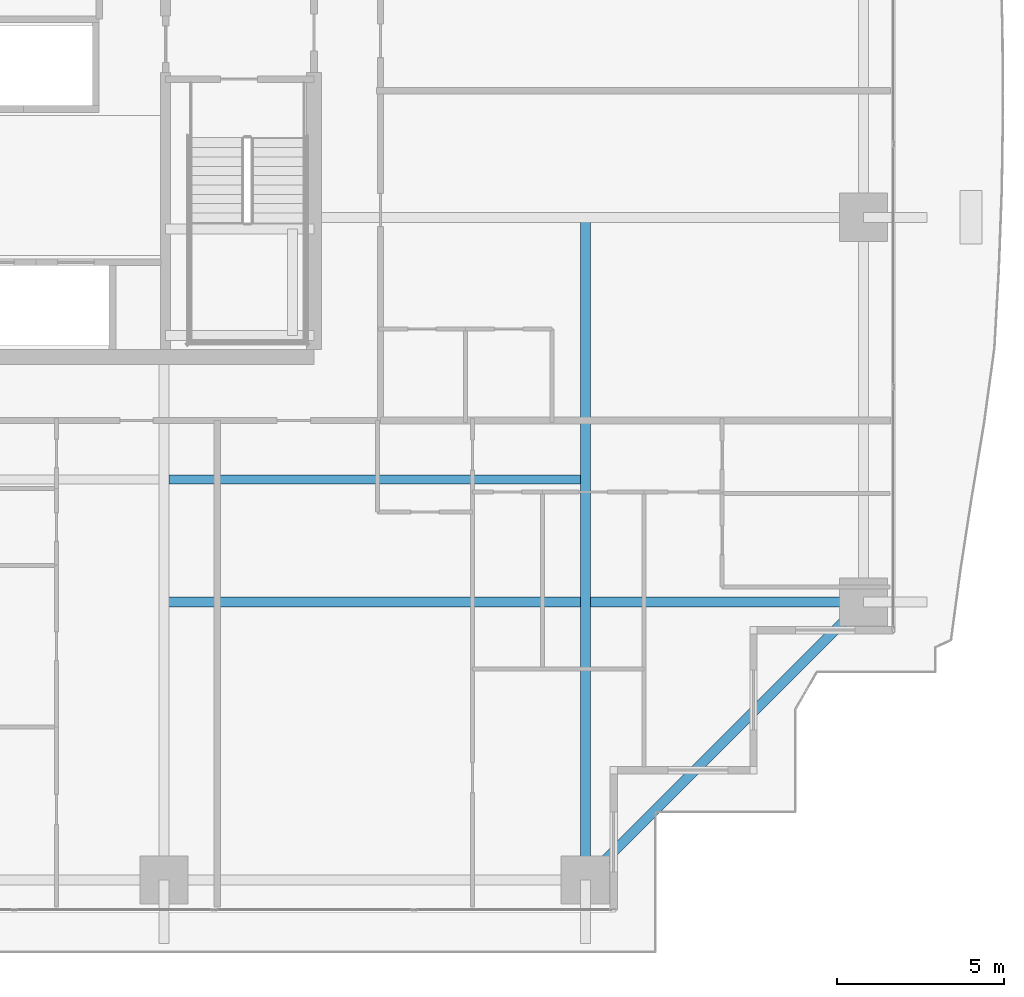
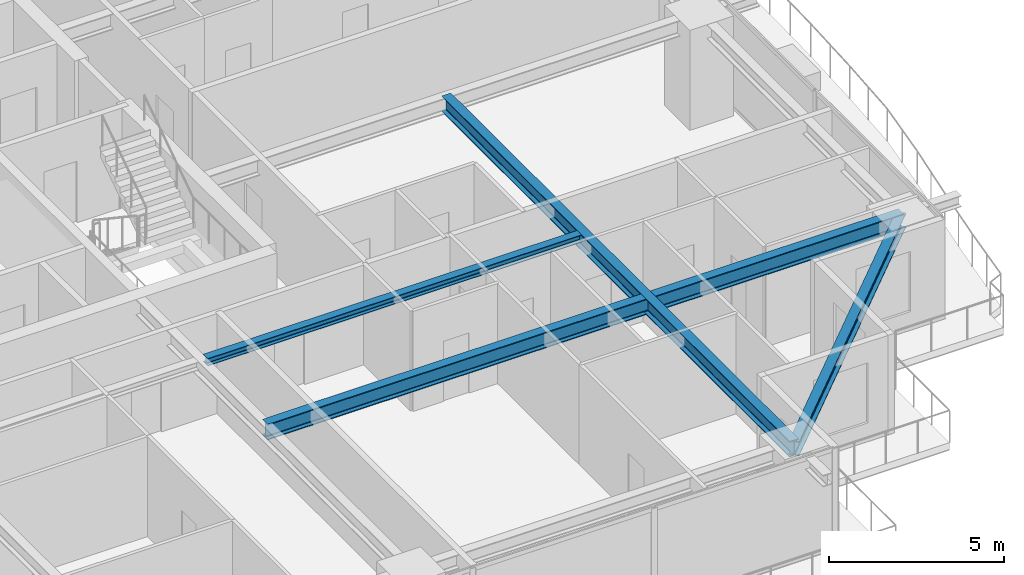
# One storey, part 11 of 38: 4 beams.
"""IFC4 building model written with IfcOpenShell, lengths in metres."""

import ifcopenshell
import ifcopenshell.guid

model = None  # the IFC model being written
_history = None  # IfcOwnerHistory: only IFC2X3 demands one
_inside = {}  # id of a spatial element -> (the spatial element, [elements in it])
_under = {}  # id of a project, library or spatial element -> (it, [spatial elements below it])
_declared = {}  # id of a project -> (the project, [libraries it declares])
_typed = {}  # id of a type object -> (the type object, [elements of that type])
_made_of = {}  # id of a material, layer set ... -> (it, [elements and type objects made of it])


def new_model(schema):
    """Start an empty IFC model of exactly this schema.

    Asked for "IFC4X3", IfcOpenShell would pick the latest addendum, in which some entities
    have other attributes; the version numbers below select the first issue.
    IFC2X3 requires an IfcOwnerHistory on every rooted entity: one is made here for all.
    """
    global model, _history
    if schema == "IFC4X3":
        model = ifcopenshell.file(schema_version=(4, 3, 0, 0))
    else:
        model = ifcopenshell.file(schema=schema)
    _inside.clear()
    _under.clear()
    _declared.clear()
    _typed.clear()
    _made_of.clear()
    _history = None
    if model.schema == "IFC2X3":
        org = make("IfcOrganization", Name="unknown")
        user = make(
            "IfcPersonAndOrganization",
            ThePerson=make("IfcPerson", FamilyName="unknown"),
            TheOrganization=org,
        )
        app = make(
            "IfcApplication",
            ApplicationDeveloper=org,
            Version="unknown",
            ApplicationFullName="unknown",
            ApplicationIdentifier="unknown",
        )
        _history = make(
            "IfcOwnerHistory",
            OwningUser=user,
            OwningApplication=app,
            ChangeAction="ADDED",
            CreationDate=0,
        )
    return model


def make(cls, **values):
    """One entity of the class cls with the attributes given. An attribute that is None is left unset."""
    return model.create_entity(
        cls, **{name: value for name, value in values.items() if value is not None}
    )


def rooted(cls, **values):
    """An entity with a GlobalId (a new one), such as an element, a storey or a relation."""
    return make(cls, GlobalId=ifcopenshell.guid.new(), OwnerHistory=_history, **values)


def si_unit(unit_type, name, prefix=None):
    """IfcSIUnit, for example si_unit("LENGTHUNIT", "METRE", prefix="MILLI")."""
    return make("IfcSIUnit", UnitType=unit_type, Prefix=prefix, Name=name)


def assignment(units):
    """IfcUnitAssignment: the units of a project."""
    return None if units is None else make("IfcUnitAssignment", Units=units)


def point(xyz):
    """IfcCartesianPoint."""
    return None if xyz is None else make("IfcCartesianPoint", Coordinates=xyz)


def direction(xyz):
    """IfcDirection."""
    return None if xyz is None else make("IfcDirection", DirectionRatios=xyz)


def frame(location, z_axis=None, x_axis=None):
    """IfcAxis2Placement3D, a coordinate frame: its origin and axes. An axis left out is left unset."""
    return make(
        "IfcAxis2Placement3D",
        Location=point(location),
        Axis=direction(z_axis),
        RefDirection=direction(x_axis),
    )


def frame_2d(location, x_axis=None):
    """IfcAxis2Placement2D, a coordinate frame in the plane: its origin and x axis."""
    return make(
        "IfcAxis2Placement2D", Location=point(location), RefDirection=direction(x_axis)
    )


def origin():
    """The frame at (0, 0, 0) with its axes left unset."""
    return frame((0.0, 0.0, 0.0))


def origin_2d():
    """The frame at (0, 0) in the plane with its x axis left unset."""
    return frame_2d((0.0, 0.0))


def place(relative_to, where):
    """IfcLocalPlacement: puts the frame where relative to a parent placement (None: the world)."""
    return make(
        "IfcLocalPlacement", PlacementRelTo=relative_to, RelativePlacement=where
    )


def context(
    kind, dimensions, precision=None, world=None, true_north=None, identifier=None
):
    """IfcGeometricRepresentationContext, for example the 3D "Model" context."""
    return make(
        "IfcGeometricRepresentationContext",
        ContextIdentifier=identifier,
        ContextType=kind,
        CoordinateSpaceDimension=dimensions,
        Precision=precision,
        WorldCoordinateSystem=world,
        TrueNorth=true_north,
    )


def subcontext(parent, identifier, kind, view, scale=None):
    """IfcGeometricRepresentationSubContext, for example "Body" below "Model"."""
    return make(
        "IfcGeometricRepresentationSubContext",
        ContextIdentifier=identifier,
        ContextType=kind,
        ParentContext=parent,
        TargetScale=scale,
        TargetView=view,
    )


def project(units=None, contexts=None):
    """IfcProject with its units and contexts."""
    return rooted(
        "IfcProject",
        Name="project",
        RepresentationContexts=contexts,
        UnitsInContext=assignment(units),
    )


def spatial(cls, under=None, at=None, **own):
    """A site, building, storey or space (cls), placed at a placement, below another one or the project."""
    s = rooted(cls, ObjectPlacement=at, **own)
    if under is not None:
        _under.setdefault(under.id(), (under, []))[1].append(s)
    return s


def profile(cls, at=None, kind="AREA", **sizes):
    """A parametric profile (cls). Its sizes go by their IFC names, for example OverallWidth=200.0."""
    return make(cls, ProfileType=kind, Position=at, **sizes)


def i_section(**sizes):
    """IfcIShapeProfileDef."""
    return profile("IfcIShapeProfileDef", **sizes)


def extrude(swept, where, along, depth):
    """IfcExtrudedAreaSolid: the profile swept, set in the frame where, extruded along a direction by depth."""
    return make(
        "IfcExtrudedAreaSolid",
        SweptArea=swept,
        Position=where,
        ExtrudedDirection=direction(along),
        Depth=depth,
    )


def shape(context_of_items, identifier, shape_type, items):
    """IfcShapeRepresentation: the items that make up one representation, for example the "Body"."""
    return make(
        "IfcShapeRepresentation",
        ContextOfItems=context_of_items,
        RepresentationIdentifier=identifier,
        RepresentationType=shape_type,
        Items=items,
    )


def source(mapping_origin, context_of_items, identifier, shape_type, items):
    """IfcRepresentationMap: a shape defined once, which mapped items show again and again."""
    return make(
        "IfcRepresentationMap",
        MappingOrigin=mapping_origin,
        MappedRepresentation=shape(context_of_items, identifier, shape_type, items),
    )


def transform(
    local_origin,
    x_axis=None,
    y_axis=None,
    z_axis=None,
    scale=None,
    scale2=None,
    scale3=None,
    uniform=True,
):
    """IfcCartesianTransformationOperator3D, or its non-uniform kind. x_axis, y_axis, z_axis: its Axis1, 2, 3."""
    if uniform:
        return make(
            "IfcCartesianTransformationOperator3D",
            Axis1=direction(x_axis),
            Axis2=direction(y_axis),
            LocalOrigin=point(local_origin),
            Scale=scale,
            Axis3=direction(z_axis),
        )
    return make(
        "IfcCartesianTransformationOperator3DnonUniform",
        Axis1=direction(x_axis),
        Axis2=direction(y_axis),
        LocalOrigin=point(local_origin),
        Scale=scale,
        Axis3=direction(z_axis),
        Scale2=scale2,
        Scale3=scale3,
    )


def mapped(mapping_source, mapping_target):
    """IfcMappedItem: shows the shape of a source again, moved by a transform."""
    return make(
        "IfcMappedItem", MappingSource=mapping_source, MappingTarget=mapping_target
    )


def material(Name=None, Category=None):
    """IfcMaterial."""
    return make("IfcMaterial", Name=Name, Category=Category)


def material_profile(
    of_material, cross_section, Name=None, Category=None, Priority=None
):
    """IfcMaterialProfile: a cross section and its material."""
    return make(
        "IfcMaterialProfile",
        Name=Name,
        Material=of_material,
        Profile=cross_section,
        Priority=Priority,
        Category=Category,
    )


def profile_set(profiles, Name=None, composite=None):
    """IfcMaterialProfileSet."""
    return make(
        "IfcMaterialProfileSet",
        Name=Name,
        MaterialProfiles=profiles,
        CompositeProfile=composite,
    )


def made_of(thing, what):
    """Note that an element or type object is made of a material, layer set ...; save() writes the relation."""
    if what is not None:
        _made_of.setdefault(what.id(), (what, []))[1].append(thing)
    return thing


def type_object(cls, material=None, **own):
    """A type object (cls), such as IfcWallType, which elements share."""
    return made_of(rooted(cls, **own), material)


def element(
    cls,
    number,
    at=None,
    inside=None,
    cuts=None,
    type_object=None,
    material=None,
    context=None,
    identifier="Body",
    shape_type=None,
    held_by="IfcProductDefinitionShape",
    body=None,
    shapes=None,
    **own,
):
    """One element of the class cls, such as IfcWall. Its Tag is "e" and its number.

    at: its placement. inside: the storey or other place that contains it. cuts: it is an
    opening in that element (IfcRelVoidsElement). A single representation is given by context,
    identifier, shape_type and body (its items); several are given by shapes. held_by: the class
    of the entity that holds the representations. save() writes the other relations.
    """
    e = rooted(cls, Tag="e%d" % number, ObjectPlacement=at, **own)
    if body is not None:
        shapes = [shape(context, identifier, shape_type, body)]
    if shapes is not None:
        e.Representation = make(held_by, Representations=shapes)
    if inside is not None:
        _inside.setdefault(inside.id(), (inside, []))[1].append(e)
    if cuts is not None:
        rooted(
            "IfcRelVoidsElement", RelatingBuildingElement=cuts, RelatedOpeningElement=e
        )
    if type_object is not None:
        _typed.setdefault(type_object.id(), (type_object, []))[1].append(e)
    return made_of(e, material)


def aggregate(whole, parts):
    """IfcRelAggregates: a whole, such as a stair, and the parts it consists of."""
    return rooted("IfcRelAggregates", RelatingObject=whole, RelatedObjects=parts)


def save(model, path):
    """Write the relations noted so far, then the file.

    IfcRelAggregates (storeys below a building ...), IfcRelContainedInSpatialStructure (elements
    in a storey), IfcRelDefinesByType, IfcRelAssociatesMaterial and IfcRelDeclares: one each for
    every whole, place, type object, material and project.
    """
    for whole, parts in _under.values():
        aggregate(whole, parts)
    for where, things in _inside.values():
        rooted(
            "IfcRelContainedInSpatialStructure",
            RelatedElements=things,
            RelatingStructure=where,
        )
    for kind, things in _typed.values():
        rooted("IfcRelDefinesByType", RelatedObjects=things, RelatingType=kind)
    for what, things in _made_of.values():
        rooted("IfcRelAssociatesMaterial", RelatedObjects=things, RelatingMaterial=what)
    for by, libraries in _declared.values():
        rooted("IfcRelDeclares", RelatingContext=by, RelatedDefinitions=libraries)
    model.write(path)


model = new_model("IFC4")

# Units and contexts
model_context = context("Model", 3, precision=1e-05, world=origin(), true_north=direction((0.0, 1.0)))
body_context = subcontext(model_context, "Body", "Model", "MODEL_VIEW")
ifc_project = project(units=[si_unit("LENGTHUNIT", "METRE"), si_unit("AREAUNIT", "SQUARE_METRE"), si_unit("VOLUMEUNIT", "CUBIC_METRE"), si_unit("PLANEANGLEUNIT", "RADIAN"), si_unit("MASSUNIT", "GRAM", prefix="KILO")], contexts=[model_context])

# Site, building, storey
site_placement = place(None, origin())
site = spatial("IfcSite", under=ifc_project, at=site_placement, CompositionType="ELEMENT")
building_placement = place(site_placement, origin())
building = spatial("IfcBuilding", under=site, at=building_placement, Name="Serunith Strait Residences", CompositionType="ELEMENT")
storey_placement = place(building_placement, frame((0.0, 0.0, 52.949951171875)))
storey = spatial("IfcBuildingStorey", under=building, at=storey_placement, Name="L12", CompositionType="ELEMENT", Elevation=52.949951171875)

# Beams
ifc_material = material(Name="Steel S355J2", Category="steel")
ifc_material_profile_1 = material_profile(ifc_material, i_section(OverallWidth=0.300048828125, OverallDepth=0.550048828125, WebThickness=0.014892578125, FlangeThickness=0.029052734375, FilletRadius=0.027099609375, at=origin_2d()), Name="HEB 550")
ifc_profile_set_1 = profile_set([ifc_material_profile_1], Name="Steel S355J2")
beam_type_1 = type_object("IfcBeamType", Name="BM-HEB550", PredefinedType="BEAM", material=ifc_profile_set_1)
shared_shape_1 = source(origin(), body_context, "Body", "SweptSolid", [
    extrude(i_section(OverallWidth=0.300048828125, OverallDepth=0.550048828125, WebThickness=0.014892578125, FlangeThickness=0.029052734375, FilletRadius=0.027099609375, at=origin_2d()), origin(), (0.0, 0.0, 1.0), 19.89990234375),
])
beam_1_placement = place(storey_placement, frame((49.550048828125, 21.0, 3.212158203125), z_axis=(0.0, -1.0, 0.0), x_axis=(1.0, 0.0, 0.0)))
element("IfcBeam", 1, at=beam_1_placement, inside=storey, type_object=beam_type_1, Name="L12 Orthogonal Corner Girder TC-S4", PredefinedType="BEAM", context=body_context, shape_type="MappedRepresentation", body=[
    mapped(shared_shape_1, transform((0.0, 0.0, 0.0), scale=1.0)),
])
shared_shape_2 = source(origin(), body_context, "Body", "SweptSolid", [
    extrude(i_section(OverallWidth=0.300048828125, OverallDepth=0.550048828125, WebThickness=0.014892578125, FlangeThickness=0.029052734375, FilletRadius=0.027099609375, at=origin_2d()), origin(), (0.0, 0.0, 1.0), 21.0),
])
beam_2_placement = place(storey_placement, frame((36.89990234375, 9.449951171875, 3.212158203125), z_axis=(1.0, 0.0, 0.0), x_axis=(0.0, 1.0, 0.0)))
element("IfcBeam", 2, at=beam_2_placement, inside=storey, type_object=beam_type_1, Name="L12 Orthogonal Corner Girder TC-E1", PredefinedType="BEAM", context=body_context, shape_type="MappedRepresentation", body=[
    mapped(shared_shape_2, transform((0.0, 0.0, 0.0), scale=1.0)),
])
ifc_material_profile_2 = material_profile(ifc_material, i_section(OverallWidth=0.300048828125, OverallDepth=0.5, WebThickness=0.014404296875, FlangeThickness=0.028076171875, FilletRadius=0.027099609375, at=origin_2d()), Name="HEB 500")
ifc_profile_set_2 = profile_set([ifc_material_profile_2], Name="Steel S355J2")
beam_type_2 = type_object("IfcBeamType", Name="BM-HEB500", PredefinedType="BEAM", material=ifc_profile_set_2)
shared_shape_3 = source(origin(), body_context, "Body", "SweptSolid", [
    extrude(i_section(OverallWidth=0.300048828125, OverallDepth=0.5, WebThickness=0.014404296875, FlangeThickness=0.028076171875, FilletRadius=0.027099609375, at=origin_2d()), origin(), (0.0, 0.0, 1.0), 11.80859375),
])
beam_3_placement = place(storey_placement, frame((49.550048828125, 1.10009765625, 3.20703125), z_axis=(0.707106781187, 0.707106781187, 0.0), x_axis=(-0.707106781187, 0.707106781187, 0.0)))
element("IfcBeam", 3, at=beam_3_placement, inside=storey, type_object=beam_type_2, Name="L12 Perimeter Ring Beam 04", PredefinedType="BEAM", context=body_context, shape_type="MappedRepresentation", body=[
    mapped(shared_shape_3, transform((0.0, 0.0, 0.0), scale=1.0)),
])
ifc_material_profile_3 = material_profile(ifc_material, i_section(OverallWidth=0.260009765625, OverallDepth=0.260009765625, WebThickness=0.010009765625, FlangeThickness=0.017578125, FilletRadius=0.02392578125, at=origin_2d()), Name="HEB 260")
ifc_profile_set_3 = profile_set([ifc_material_profile_3], Name="Steel S355J2")
beam_type_3 = type_object("IfcBeamType", Name="BM-HEB260", PredefinedType="JOIST", material=ifc_profile_set_3)
shared_shape_4 = source(origin(), body_context, "Body", "SweptSolid", [
    extrude(i_section(OverallWidth=0.260009765625, OverallDepth=0.260009765625, WebThickness=0.010009765625, FlangeThickness=0.017578125, FilletRadius=0.02392578125, at=origin_2d()), origin(), (0.0, 0.0, 1.0), 12.349853515625),
])
beam_4_placement = place(storey_placement, frame((37.050048828125, 13.125, 3.35693359375), z_axis=(1.0, 0.0, 0.0), x_axis=(0.0, 1.0, 0.0)))
element("IfcBeam", 4, at=beam_4_placement, inside=storey, type_object=beam_type_3, Name="L12 Composite Floor Joist 03", PredefinedType="JOIST", context=body_context, shape_type="MappedRepresentation", body=[
    mapped(shared_shape_4, transform((0.0, 0.0, 0.0), scale=1.0)),
])

save(model, "model.ifc")
